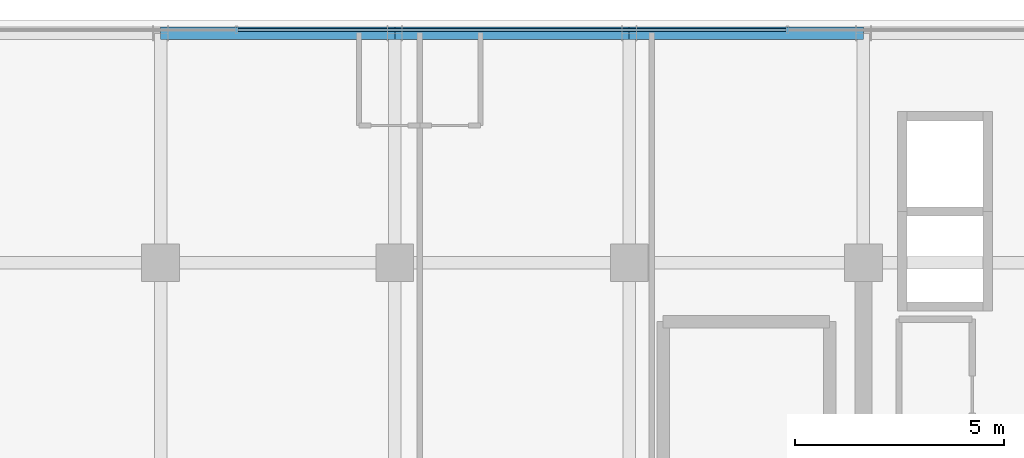
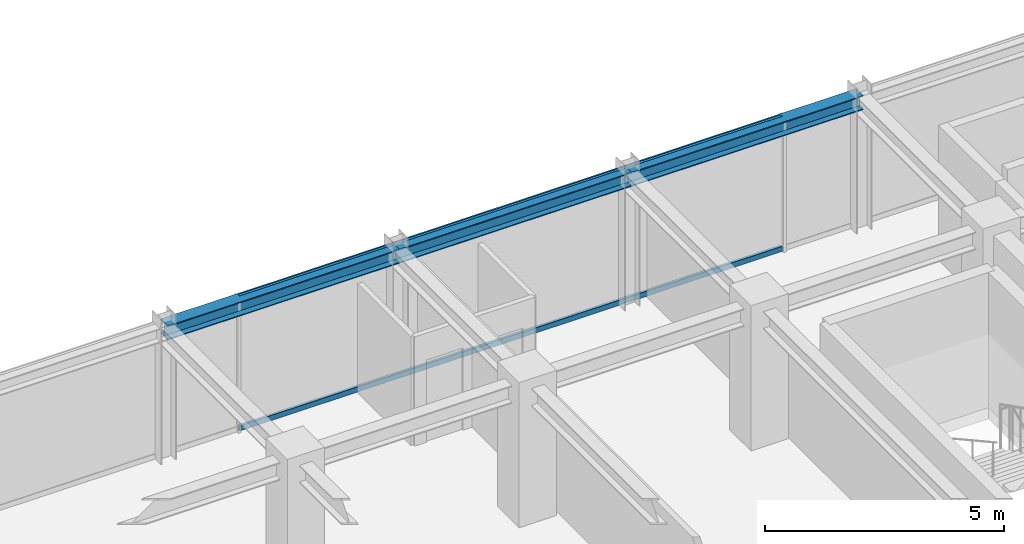
# One storey, part 20 of 32: 3 beams, 2 members, 1 element without a shape of its own.
"""IFC4 building model written with IfcOpenShell, lengths in metres."""

from ifc_helpers import new_model, si_unit, direction, frame, origin, origin_2d, place, context, subcontext, project, spatial, hollow_rectangle, i_section, extrude, source, transform, mapped, material, material_profile, profile_set, type_object, element, aggregate, save


model = new_model("IFC4")

# Units and contexts
model_context = context("Model", 3, precision=1e-05, world=origin(), true_north=direction((0.0, 1.0)))
body_context = subcontext(model_context, "Body", "Model", "MODEL_VIEW")
ifc_project = project(units=[si_unit("LENGTHUNIT", "METRE"), si_unit("AREAUNIT", "SQUARE_METRE"), si_unit("VOLUMEUNIT", "CUBIC_METRE"), si_unit("PLANEANGLEUNIT", "RADIAN"), si_unit("MASSUNIT", "GRAM", prefix="KILO")], contexts=[model_context])

# Site, building, storey
site_placement = place(None, origin())
site = spatial("IfcSite", under=ifc_project, at=site_placement, CompositionType="ELEMENT")
building_placement = place(site_placement, origin())
building = spatial("IfcBuilding", under=site, at=building_placement, Name="Nahalor Promenade Grand Hotel", CompositionType="ELEMENT")
storey_placement = place(building_placement, frame((0.0, 0.0, 285.050048828125)))
storey = spatial("IfcBuildingStorey", under=building, at=storey_placement, Name="L73", CompositionType="ELEMENT", Elevation=285.050048828125)

# Beams
ifc_material_1 = material(Name="Steel S355JR", Category="steel")
ifc_material_profile_1 = material_profile(ifc_material_1, i_section(OverallWidth=0.3, OverallDepth=0.36, WebThickness=0.0125, FlangeThickness=0.0225, at=origin_2d()), Name="HEB 360")
ifc_profile_set_1 = profile_set([ifc_material_profile_1], Name="Steel S355JR")
beam_type = type_object("IfcBeamType", Name="Beam-Spandrel-HEB360", PredefinedType="SPANDREL", material=ifc_profile_set_1)
shared_shape_1 = source(origin(), body_context, "Body", "SweptSolid", [
    extrude(i_section(OverallWidth=0.3, OverallDepth=0.36, WebThickness=0.0125, FlangeThickness=0.0225, at=origin_2d()), origin(), (0.0, 0.0, 1.0), 5.599853515625),
])
for number, where, z_axis, x_axis, name in (
    (1, (-8.39990234375, 22.47998046875, 3.27001953125), (1.0, 0.0, 0.0), (0.0, 1.0, 0.0), "BM-L73-SP-N-1"),
    (2, (2.800048828125, 22.47998046875, 3.27001953125), (1.0, 0.0, 0.0), (0.0, 1.0, 0.0), "BM-L73-SP-N-3"),
):
    element("IfcBeam", number, at=place(storey_placement, frame(where, z_axis=z_axis, x_axis=x_axis)), inside=storey, type_object=beam_type, Name=name, PredefinedType="SPANDREL", context=body_context, shape_type="MappedRepresentation", body=[
        mapped(shared_shape_1, transform((0.0, 0.0, 0.0), scale=1.0)),
    ])
shared_shape_2 = source(origin(), body_context, "Body", "SweptSolid", [
    extrude(i_section(OverallWidth=0.3, OverallDepth=0.36, WebThickness=0.0125, FlangeThickness=0.0225, at=origin_2d()), origin(), (0.0, 0.0, 1.0), 5.60009765625),
])
beam_placement = place(storey_placement, frame((-2.800048828125, 22.47998046875, 3.27001953125), z_axis=(1.0, 0.0, 0.0), x_axis=(0.0, 1.0, 0.0)))
element("IfcBeam", 3, at=beam_placement, inside=storey, type_object=beam_type, Name="BM-L73-SP-N-2", PredefinedType="SPANDREL", context=body_context, shape_type="MappedRepresentation", body=[
    mapped(shared_shape_2, transform((0.0, 0.0, 0.0), scale=1.0)),
])

# Curtain wall, members
ifc_material_2 = material(Name="Anodised Bronze Aluminium EN AW-6063 T6", Category="aluminium")
curtain_wall_type = type_object("IfcCurtainWallType", Name="CW2 Typical Hotel Flush Bronze Unitised Curtain Wall", PredefinedType="USERDEFINED", material=ifc_material_2)
curtain_wall_placement = place(storey_placement, origin())
curtain_wall = element("IfcCurtainWall", 4, at=curtain_wall_placement, inside=storey, type_object=curtain_wall_type, Name="L73 Curtain Wall CW-L73-N-1", ObjectType="UNITISED_CURTAIN_WALL", PredefinedType="USERDEFINED")
ifc_material_profile_2 = material_profile(ifc_material_2, hollow_rectangle(XDim=0.065, YDim=0.13, WallThickness=0.004, at=origin_2d()), Name="CWT 65x130x4")
ifc_profile_set_2 = profile_set([ifc_material_profile_2], Name="Anodised Bronze Aluminium EN AW-6063 T6")
member_type = type_object("IfcMemberType", Name="CWT2 Typical Bronze Transom 65x130", PredefinedType="USERDEFINED", material=ifc_profile_set_2)
shared_shape_3 = source(origin(), body_context, "Body", "SweptSolid", [
    extrude(hollow_rectangle(XDim=0.065, YDim=0.13, WallThickness=0.004, at=origin_2d()), origin(), (0.0, 0.0, 1.0), 13.1083984375),
])
member_1_placement = place(storey_placement, frame((-6.55419921875, 22.56005859375, 0.06494140625), z_axis=(1.0, 0.0, 0.0), x_axis=(0.0, 1.0, 0.0)))
member_1 = element("IfcMember", 5, at=member_1_placement, type_object=member_type, Name="CW-L73-N-1 Transom 1-0", ObjectType="TRANSOM", PredefinedType="USERDEFINED", context=body_context, shape_type="MappedRepresentation", body=[
    mapped(shared_shape_3, transform((0.0, 0.0, 0.0), scale=1.0)),
])
member_2_placement = place(storey_placement, frame((-6.55419921875, 22.56005859375, 3.385009765625), z_axis=(1.0, 0.0, 0.0), x_axis=(0.0, 1.0, 0.0)))
member_2 = element("IfcMember", 6, at=member_2_placement, type_object=member_type, Name="CW-L73-N-1 Transom 1-1", ObjectType="TRANSOM", PredefinedType="USERDEFINED", context=body_context, shape_type="MappedRepresentation", body=[
    mapped(shared_shape_3, transform((0.0, 0.0, 0.0), scale=1.0)),
])
aggregate(curtain_wall, [member_1, member_2])

save(model, "model.ifc")
